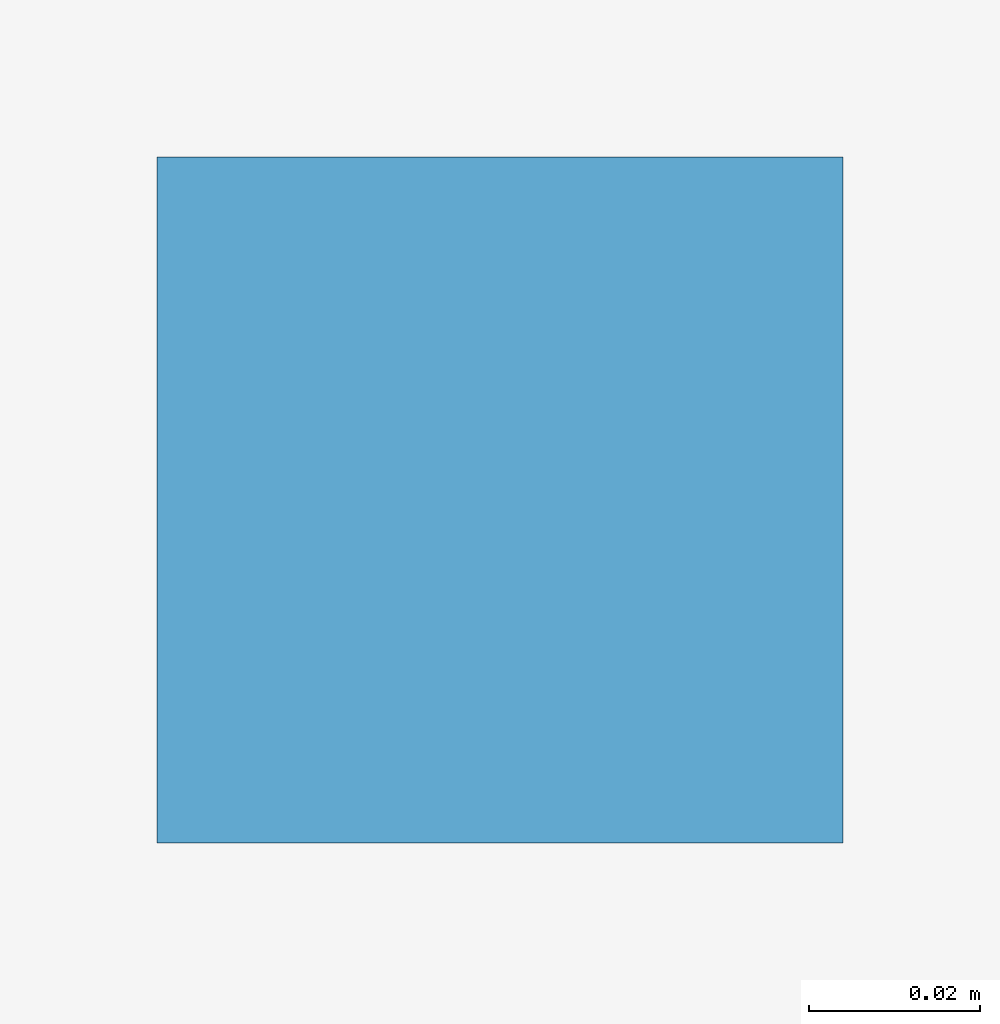
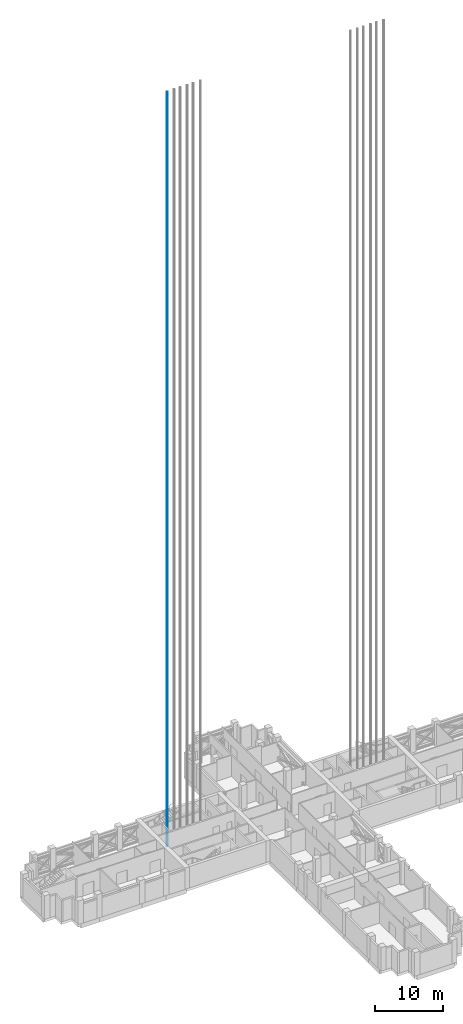
# One storey, part 10 of 22: 1 discrete accessory.
"""IFC4 building model written with IfcOpenShell, lengths in metres."""

from ifc_helpers import new_model, si_unit, direction, frame, origin, origin_2d, place, context, subcontext, project, spatial, rectangle, extrude, material, element, save


model = new_model("IFC4")

# Units and contexts
model_context = context("Model", 3, precision=1e-05, world=origin(), true_north=direction((0.0, 1.0)))
body_context = subcontext(model_context, "Body", "Model", "MODEL_VIEW")
ifc_project = project(units=[si_unit("LENGTHUNIT", "METRE"), si_unit("AREAUNIT", "SQUARE_METRE"), si_unit("VOLUMEUNIT", "CUBIC_METRE"), si_unit("PLANEANGLEUNIT", "RADIAN"), si_unit("MASSUNIT", "GRAM", prefix="KILO")], contexts=[model_context])

# Site, building, storey
site_placement = place(None, origin())
site = spatial("IfcSite", under=ifc_project, at=site_placement, CompositionType="ELEMENT")
building_placement = place(site_placement, origin())
building = spatial("IfcBuilding", under=site, at=building_placement, Name="Fustian Cross Tower", CompositionType="ELEMENT")
storey_placement = place(building_placement, frame((0.0, 0.0, 111.89990234375)))
storey = spatial("IfcBuildingStorey", under=building, at=storey_placement, Name="L35", CompositionType="ELEMENT", Elevation=111.89990234375)

# Discrete accessory
ifc_material = material(Name="Steel S355", Category="steel")
discrete_accessory_placement = place(storey_placement, frame((-18.27490234375, 3.7099609375, 0.0), z_axis=(0.0, 0.0, 1.0), x_axis=(1.0, 0.0, 0.0)))
element("IfcDiscreteAccessory", 1, at=discrete_accessory_placement, inside=storey, material=ifc_material, Name="Lift guide rail HR3W 1", PredefinedType="NOTDEFINED", context=body_context, shape_type="SweptSolid", body=[
    extrude(rectangle(XDim=0.080078125, YDim=0.080078125, at=origin_2d()), origin(), (0.0, 0.0, 1.0), 134.60009765625),
])

save(model, "model.ifc")
